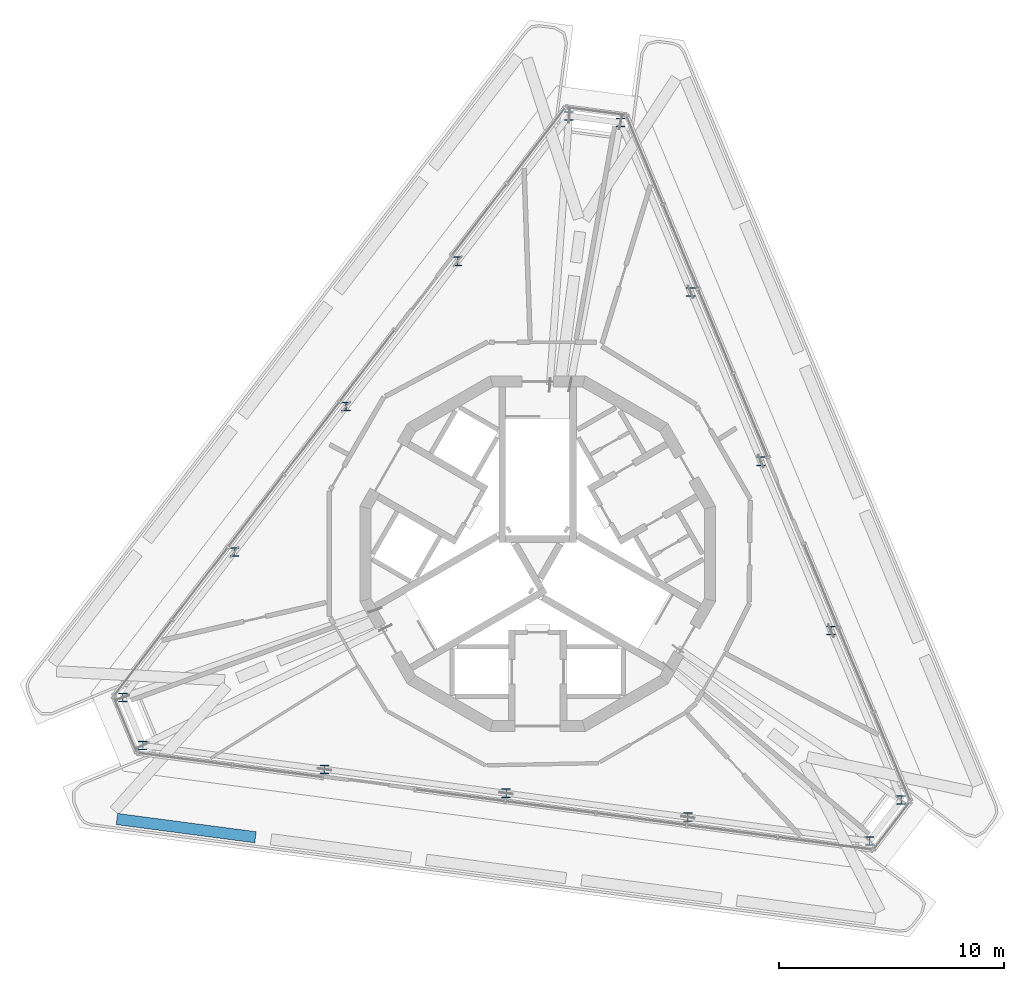
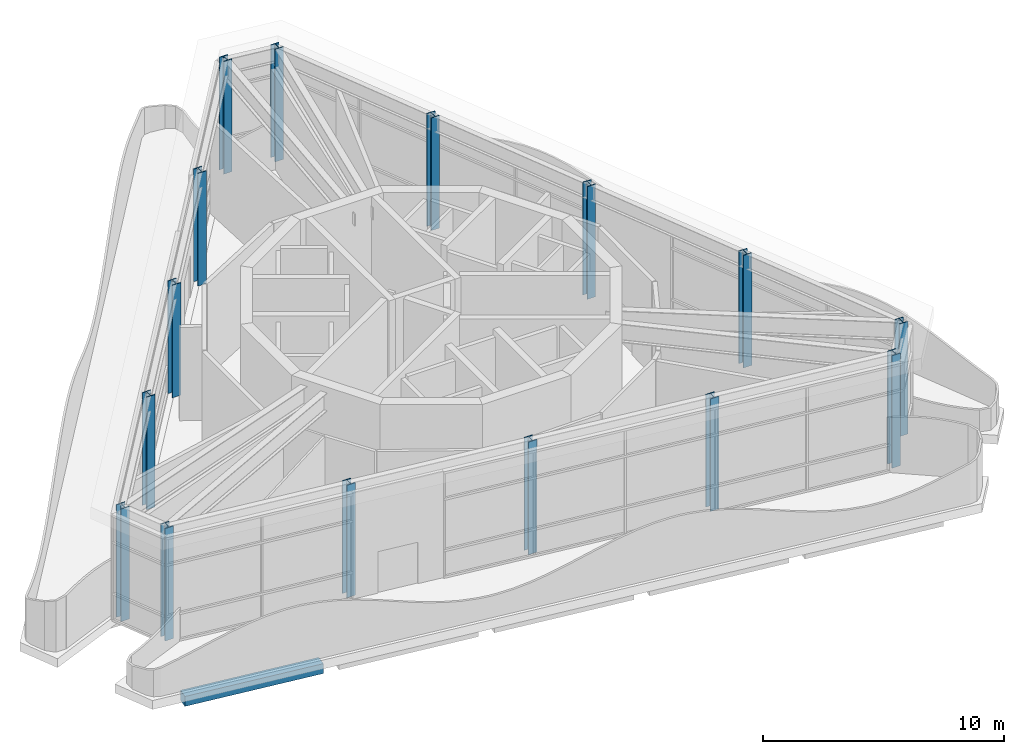
# One storey, part 1 of 10: 15 columns, 1 beam.
"""IFC4 building model written with IfcOpenShell, lengths in metres."""

import ifcopenshell
import ifcopenshell.guid

model = None  # the IFC model being written
_history = None  # IfcOwnerHistory: only IFC2X3 demands one
_inside = {}  # id of a spatial element -> (the spatial element, [elements in it])
_under = {}  # id of a project, library or spatial element -> (it, [spatial elements below it])
_declared = {}  # id of a project -> (the project, [libraries it declares])
_typed = {}  # id of a type object -> (the type object, [elements of that type])
_made_of = {}  # id of a material, layer set ... -> (it, [elements and type objects made of it])


def new_model(schema):
    """Start an empty IFC model of exactly this schema.

    Asked for "IFC4X3", IfcOpenShell would pick the latest addendum, in which some entities
    have other attributes; the version numbers below select the first issue.
    IFC2X3 requires an IfcOwnerHistory on every rooted entity: one is made here for all.
    """
    global model, _history
    if schema == "IFC4X3":
        model = ifcopenshell.file(schema_version=(4, 3, 0, 0))
    else:
        model = ifcopenshell.file(schema=schema)
    _inside.clear()
    _under.clear()
    _declared.clear()
    _typed.clear()
    _made_of.clear()
    _history = None
    if model.schema == "IFC2X3":
        org = make("IfcOrganization", Name="unknown")
        user = make(
            "IfcPersonAndOrganization",
            ThePerson=make("IfcPerson", FamilyName="unknown"),
            TheOrganization=org,
        )
        app = make(
            "IfcApplication",
            ApplicationDeveloper=org,
            Version="unknown",
            ApplicationFullName="unknown",
            ApplicationIdentifier="unknown",
        )
        _history = make(
            "IfcOwnerHistory",
            OwningUser=user,
            OwningApplication=app,
            ChangeAction="ADDED",
            CreationDate=0,
        )
    return model


def make(cls, **values):
    """One entity of the class cls with the attributes given. An attribute that is None is left unset."""
    return model.create_entity(
        cls, **{name: value for name, value in values.items() if value is not None}
    )


def rooted(cls, **values):
    """An entity with a GlobalId (a new one), such as an element, a storey or a relation."""
    return make(cls, GlobalId=ifcopenshell.guid.new(), OwnerHistory=_history, **values)


def si_unit(unit_type, name, prefix=None):
    """IfcSIUnit, for example si_unit("LENGTHUNIT", "METRE", prefix="MILLI")."""
    return make("IfcSIUnit", UnitType=unit_type, Prefix=prefix, Name=name)


def assignment(units):
    """IfcUnitAssignment: the units of a project."""
    return None if units is None else make("IfcUnitAssignment", Units=units)


def point(xyz):
    """IfcCartesianPoint."""
    return None if xyz is None else make("IfcCartesianPoint", Coordinates=xyz)


def direction(xyz):
    """IfcDirection."""
    return None if xyz is None else make("IfcDirection", DirectionRatios=xyz)


def frame(location, z_axis=None, x_axis=None):
    """IfcAxis2Placement3D, a coordinate frame: its origin and axes. An axis left out is left unset."""
    return make(
        "IfcAxis2Placement3D",
        Location=point(location),
        Axis=direction(z_axis),
        RefDirection=direction(x_axis),
    )


def frame_2d(location, x_axis=None):
    """IfcAxis2Placement2D, a coordinate frame in the plane: its origin and x axis."""
    return make(
        "IfcAxis2Placement2D", Location=point(location), RefDirection=direction(x_axis)
    )


def origin():
    """The frame at (0, 0, 0) with its axes left unset."""
    return frame((0.0, 0.0, 0.0))


def origin_2d():
    """The frame at (0, 0) in the plane with its x axis left unset."""
    return frame_2d((0.0, 0.0))


def place(relative_to, where):
    """IfcLocalPlacement: puts the frame where relative to a parent placement (None: the world)."""
    return make(
        "IfcLocalPlacement", PlacementRelTo=relative_to, RelativePlacement=where
    )


def context(
    kind, dimensions, precision=None, world=None, true_north=None, identifier=None
):
    """IfcGeometricRepresentationContext, for example the 3D "Model" context."""
    return make(
        "IfcGeometricRepresentationContext",
        ContextIdentifier=identifier,
        ContextType=kind,
        CoordinateSpaceDimension=dimensions,
        Precision=precision,
        WorldCoordinateSystem=world,
        TrueNorth=true_north,
    )


def subcontext(parent, identifier, kind, view, scale=None):
    """IfcGeometricRepresentationSubContext, for example "Body" below "Model"."""
    return make(
        "IfcGeometricRepresentationSubContext",
        ContextIdentifier=identifier,
        ContextType=kind,
        ParentContext=parent,
        TargetScale=scale,
        TargetView=view,
    )


def project(units=None, contexts=None):
    """IfcProject with its units and contexts."""
    return rooted(
        "IfcProject",
        Name="project",
        RepresentationContexts=contexts,
        UnitsInContext=assignment(units),
    )


def spatial(cls, under=None, at=None, **own):
    """A site, building, storey or space (cls), placed at a placement, below another one or the project."""
    s = rooted(cls, ObjectPlacement=at, **own)
    if under is not None:
        _under.setdefault(under.id(), (under, []))[1].append(s)
    return s


def profile(cls, at=None, kind="AREA", **sizes):
    """A parametric profile (cls). Its sizes go by their IFC names, for example OverallWidth=200.0."""
    return make(cls, ProfileType=kind, Position=at, **sizes)


def rectangle(**sizes):
    """IfcRectangleProfileDef."""
    return profile("IfcRectangleProfileDef", **sizes)


def i_section(**sizes):
    """IfcIShapeProfileDef."""
    return profile("IfcIShapeProfileDef", **sizes)


def extrude(swept, where, along, depth):
    """IfcExtrudedAreaSolid: the profile swept, set in the frame where, extruded along a direction by depth."""
    return make(
        "IfcExtrudedAreaSolid",
        SweptArea=swept,
        Position=where,
        ExtrudedDirection=direction(along),
        Depth=depth,
    )


def shape(context_of_items, identifier, shape_type, items):
    """IfcShapeRepresentation: the items that make up one representation, for example the "Body"."""
    return make(
        "IfcShapeRepresentation",
        ContextOfItems=context_of_items,
        RepresentationIdentifier=identifier,
        RepresentationType=shape_type,
        Items=items,
    )


def material(Name=None, Category=None):
    """IfcMaterial."""
    return make("IfcMaterial", Name=Name, Category=Category)


def material_profile(
    of_material, cross_section, Name=None, Category=None, Priority=None
):
    """IfcMaterialProfile: a cross section and its material."""
    return make(
        "IfcMaterialProfile",
        Name=Name,
        Material=of_material,
        Profile=cross_section,
        Priority=Priority,
        Category=Category,
    )


def profile_set(profiles, Name=None, composite=None):
    """IfcMaterialProfileSet."""
    return make(
        "IfcMaterialProfileSet",
        Name=Name,
        MaterialProfiles=profiles,
        CompositeProfile=composite,
    )


def made_of(thing, what):
    """Note that an element or type object is made of a material, layer set ...; save() writes the relation."""
    if what is not None:
        _made_of.setdefault(what.id(), (what, []))[1].append(thing)
    return thing


def type_object(cls, material=None, **own):
    """A type object (cls), such as IfcWallType, which elements share."""
    return made_of(rooted(cls, **own), material)


def element(
    cls,
    number,
    at=None,
    inside=None,
    cuts=None,
    type_object=None,
    material=None,
    context=None,
    identifier="Body",
    shape_type=None,
    held_by="IfcProductDefinitionShape",
    body=None,
    shapes=None,
    **own,
):
    """One element of the class cls, such as IfcWall. Its Tag is "e" and its number.

    at: its placement. inside: the storey or other place that contains it. cuts: it is an
    opening in that element (IfcRelVoidsElement). A single representation is given by context,
    identifier, shape_type and body (its items); several are given by shapes. held_by: the class
    of the entity that holds the representations. save() writes the other relations.
    """
    e = rooted(cls, Tag="e%d" % number, ObjectPlacement=at, **own)
    if body is not None:
        shapes = [shape(context, identifier, shape_type, body)]
    if shapes is not None:
        e.Representation = make(held_by, Representations=shapes)
    if inside is not None:
        _inside.setdefault(inside.id(), (inside, []))[1].append(e)
    if cuts is not None:
        rooted(
            "IfcRelVoidsElement", RelatingBuildingElement=cuts, RelatedOpeningElement=e
        )
    if type_object is not None:
        _typed.setdefault(type_object.id(), (type_object, []))[1].append(e)
    return made_of(e, material)


def aggregate(whole, parts):
    """IfcRelAggregates: a whole, such as a stair, and the parts it consists of."""
    return rooted("IfcRelAggregates", RelatingObject=whole, RelatedObjects=parts)


def save(model, path):
    """Write the relations noted so far, then the file.

    IfcRelAggregates (storeys below a building ...), IfcRelContainedInSpatialStructure (elements
    in a storey), IfcRelDefinesByType, IfcRelAssociatesMaterial and IfcRelDeclares: one each for
    every whole, place, type object, material and project.
    """
    for whole, parts in _under.values():
        aggregate(whole, parts)
    for where, things in _inside.values():
        rooted(
            "IfcRelContainedInSpatialStructure",
            RelatedElements=things,
            RelatingStructure=where,
        )
    for kind, things in _typed.values():
        rooted("IfcRelDefinesByType", RelatedObjects=things, RelatingType=kind)
    for what, things in _made_of.values():
        rooted("IfcRelAssociatesMaterial", RelatedObjects=things, RelatingMaterial=what)
    for by, libraries in _declared.values():
        rooted("IfcRelDeclares", RelatingContext=by, RelatedDefinitions=libraries)
    model.write(path)


model = new_model("IFC4")

# Units and contexts
model_context = context("Model", 3, precision=1e-05, world=origin(), true_north=direction((0.0, 1.0)))
body_context = subcontext(model_context, "Body", "Model", "MODEL_VIEW")
ifc_project = project(units=[si_unit("LENGTHUNIT", "METRE"), si_unit("AREAUNIT", "SQUARE_METRE"), si_unit("VOLUMEUNIT", "CUBIC_METRE"), si_unit("PLANEANGLEUNIT", "RADIAN"), si_unit("MASSUNIT", "GRAM", prefix="KILO")], contexts=[model_context])

# Site, building, storey
site_placement = place(None, origin())
site = spatial("IfcSite", under=ifc_project, at=site_placement, CompositionType="ELEMENT")
building_placement = place(site_placement, origin())
building = spatial("IfcBuilding", under=site, at=building_placement, Name="Trine Commons Tower", CompositionType="ELEMENT")
storey_placement = place(building_placement, frame((0.0, 0.0, 300.60009765625)))
storey = spatial("IfcBuildingStorey", under=building, at=storey_placement, Name="CROWN", CompositionType="ELEMENT", Elevation=300.60009765625)

# Columns
ifc_material_1 = material(Name="Structural steel ASTM A992 Gr50", Category="steel")
ifc_material_profile_1 = material_profile(ifc_material_1, i_section(OverallWidth=0.4033203125, OverallDepth=0.406494140625, WebThickness=0.027099609375, FlangeThickness=0.043701171875, FilletRadius=0.01513671875, at=origin_2d()), Name="W14X233")
ifc_profile_set_1 = profile_set([ifc_material_profile_1], Name="Structural steel ASTM A992 Gr50")
column_type = type_object("IfcColumnType", Name="Steel column W14X233, ASTM A992 Gr50", PredefinedType="COLUMN", material=ifc_profile_set_1)
for number, where, z_axis, x_axis, name in (
    (1, (62.4130859375, 53.965576171875, 0.0), (0.0, 0.0, 1.0), (1.0, 0.0, 0.0), "Crown column DC-01"),
    (2, (61.529296875, 56.09912109375, 0.0), (0.0, 0.0, 1.0), (1.0, 0.0, 0.0), "Crown column DC-02"),
    (3, (66.49755859375, 62.57373046875, 0.0), (0.0, 0.0, 1.0), (1.0, 0.0, 0.0), "Crown column DC-03"),
    (4, (71.4658203125, 69.048583984375, 0.0), (0.0, 0.0, 1.0), (1.0, 0.0, 0.0), "Crown column DC-04"),
    (5, (76.43408203125, 75.523193359375, 0.0), (0.0, 0.0, 1.0), (1.0, 0.0, 0.0), "Crown column DC-05"),
    (6, (81.40234375, 81.997802734375, 0.0), (0.0, 0.0, 1.0), (1.0, 0.0, 0.0), "Crown column DC-06"),
    (7, (83.69189453125, 81.696533203125, 0.0), (0.0, 0.0, 1.0), (1.0, 0.0, 0.0), "Crown column DC-07"),
    (8, (86.815185546875, 74.156494140625, 0.0), (0.0, 0.0, 1.0), (1.0, 0.0, 0.0), "Crown column DC-08"),
    (9, (89.938232421875, 66.61669921875, 0.0), (0.0, 0.0, 1.0), (1.0, 0.0, 0.0), "Crown column DC-09"),
    (10, (93.061279296875, 59.07666015625, 0.0), (0.0, 0.0, 1.0), (1.0, 0.0, 0.0), "Crown column DC-10"),
    (11, (96.1845703125, 51.53662109375, 0.0), (0.0, 0.0, 1.0), (1.0, 0.0, 0.0), "Crown column DC-11"),
    (12, (94.77880859375, 49.70458984375, 0.0), (0.0, 0.0, 1.0), (1.0, 0.0, 0.0), "Crown column DC-12"),
    (13, (86.687255859375, 50.769775390625, 0.0), (0.0, 0.0, 1.0), (1.0, 0.0, 0.0), "Crown column DC-13"),
    (14, (78.595947265625, 51.8349609375, 0.0), (0.0, 0.0, 1.0), (1.0, 0.0, 0.0), "Crown column DC-14"),
    (15, (70.50439453125, 52.900146484375, 0.0), (0.0, 0.0, 1.0), (1.0, 0.0, 0.0), "Crown column DC-15"),
):
    element("IfcColumn", number, at=place(storey_placement, frame(where, z_axis=z_axis, x_axis=x_axis)), inside=storey, type_object=column_type, Name=name, PredefinedType="COLUMN", context=body_context, shape_type="SweptSolid", body=[
        extrude(i_section(OverallWidth=0.4033203125, OverallDepth=0.406494140625, WebThickness=0.027099609375, FlangeThickness=0.043701171875, FilletRadius=0.01513671875, at=origin_2d()), origin(), (0.0, 0.0, 1.0), 5.699951171875),
    ])

# Beam
ifc_material_2 = material(Name="Concrete C40/50", Category="concrete")
ifc_material_profile_2 = material_profile(ifc_material_2, rectangle(XDim=0.5, YDim=0.5, at=origin_2d()), Name="RC 500x500")
ifc_profile_set_2 = profile_set([ifc_material_profile_2], Name="Concrete C40/50")
beam_type = type_object("IfcBeamType", Name="RC beam 500x500, C40/50", PredefinedType="BEAM", material=ifc_profile_set_2)
beam_placement = place(storey_placement, frame((67.435546875, 49.875, -0.7001953125), z_axis=(-0.991449220248, 0.130493079009, 0.0), x_axis=(-0.130493079009, -0.991449220248, 0.0)))
element("IfcBeam", 16, at=beam_placement, inside=storey, type_object=beam_type, Name="Beam EB8-05 CROWN", PredefinedType="BEAM", context=body_context, shape_type="SweptSolid", body=[
    extrude(rectangle(XDim=0.5, YDim=0.5, at=origin_2d()), origin(), (0.0, 0.0, 1.0), 6.22265625),
])

save(model, "model.ifc")
